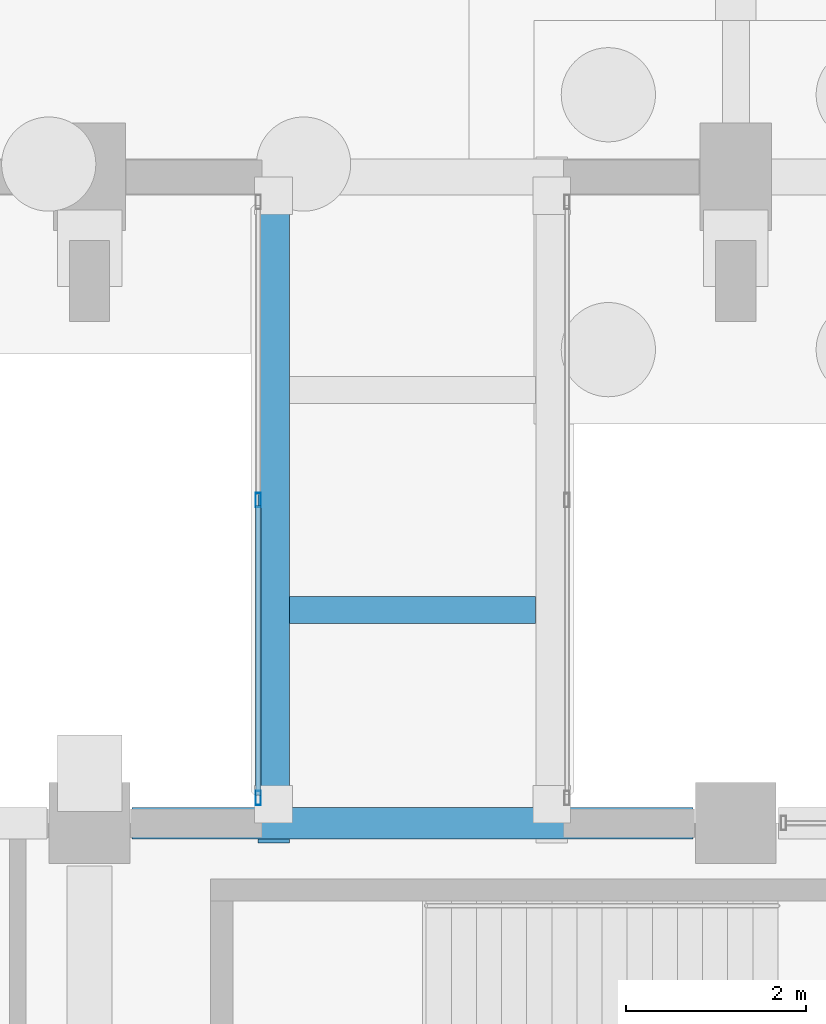
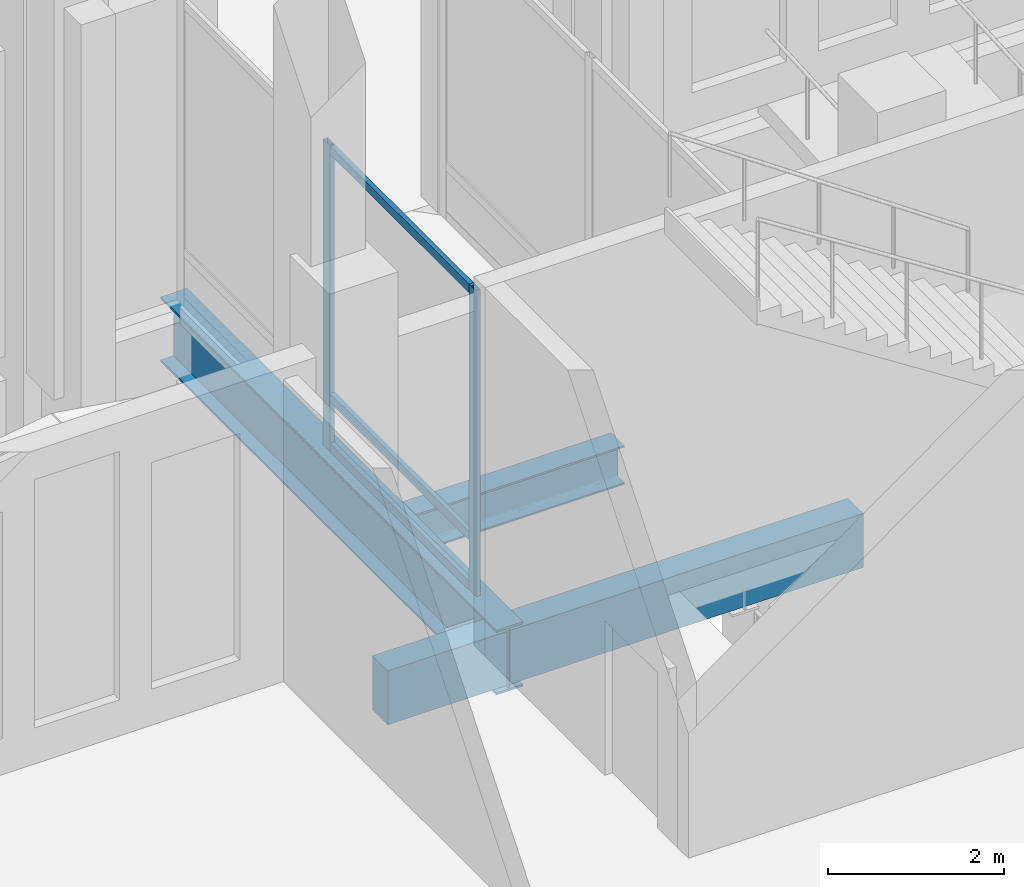
# One storey, part 86 of 192: 5 members, 3 beams, 1 element without a shape of its own.
"""IFC4 building model written with IfcOpenShell, lengths in metres."""

from ifc_helpers import new_model, si_unit, direction, frame, origin, origin_2d, place, context, subcontext, project, spatial, rectangle, hollow_rectangle, i_section, extrude, material, material_profile, profile_set, type_object, element, aggregate, save


model = new_model("IFC4")

# Units and contexts
model_context = context("Model", 3, precision=1e-05, world=origin(), true_north=direction((0.0, 1.0)))
body_context = subcontext(model_context, "Body", "Model", "MODEL_VIEW")
ifc_project = project(units=[si_unit("LENGTHUNIT", "METRE"), si_unit("AREAUNIT", "SQUARE_METRE"), si_unit("VOLUMEUNIT", "CUBIC_METRE"), si_unit("PLANEANGLEUNIT", "RADIAN"), si_unit("MASSUNIT", "GRAM", prefix="KILO")], contexts=[model_context])

# Site, building, storey
site_placement = place(None, origin())
site = spatial("IfcSite", under=ifc_project, at=site_placement, CompositionType="ELEMENT")
building_placement = place(site_placement, origin())
building = spatial("IfcBuilding", under=site, at=building_placement, Name="Cendralis Lancet Convention Centre", CompositionType="ELEMENT")
storey_placement = place(building_placement, origin())
storey = spatial("IfcBuildingStorey", under=building, at=storey_placement, Name="L00", CompositionType="ELEMENT", Elevation=0.0)

# Curtain wall, members
ifc_material_1 = material(Name="Anodised bronze architectural aluminium", Category="aluminium")
curtain_wall_type = type_object("IfcCurtainWallType", Name="ARC-CW-BR01", PredefinedType="USERDEFINED", material=ifc_material_1)
curtain_wall_placement = place(storey_placement, origin())
curtain_wall = element("IfcCurtainWall", 1, at=curtain_wall_placement, inside=storey, type_object=curtain_wall_type, Name="L00 Curtain Wall CW-BR1 #211", ObjectType="CURTAIN WALL", PredefinedType="USERDEFINED")
ifc_material_profile_1 = material_profile(ifc_material_1, hollow_rectangle(XDim=0.06005859375, YDim=0.159912109375, WallThickness=0.00390625, at=origin_2d()), Name="AL-MULL 60x160x4.0")
ifc_profile_set_1 = profile_set([ifc_material_profile_1], Name="Anodised bronze architectural aluminium")
member_type_1 = type_object("IfcMemberType", Name="ARC-CW-ML01", PredefinedType="MULLION", material=ifc_profile_set_1)
member_1_placement = place(storey_placement, frame((148.280029296875, 36.280029296875, 0.0), z_axis=(0.0, 0.0, 1.0), x_axis=(1.0, 0.0, 0.0)))
member_1 = element("IfcMember", 2, at=member_1_placement, type_object=member_type_1, Name="Mullion CW2-CW-BR1-L00-211-M0", PredefinedType="MULLION", context=body_context, shape_type="SweptSolid", body=[
    extrude(hollow_rectangle(XDim=0.06005859375, YDim=0.159912109375, WallThickness=0.00390625, at=origin_2d()), origin(), (0.0, 0.0, 1.0), 4.25),
])
member_2_placement = place(storey_placement, frame((148.280029296875, 39.60009765625, 0.0), z_axis=(0.0, 0.0, 1.0), x_axis=(1.0, 0.0, 0.0)))
member_2 = element("IfcMember", 3, at=member_2_placement, type_object=member_type_1, Name="Mullion CW2-CW-BR1-L00-211-M1", PredefinedType="MULLION", context=body_context, shape_type="SweptSolid", body=[
    extrude(hollow_rectangle(XDim=0.06005859375, YDim=0.159912109375, WallThickness=0.00390625, at=origin_2d()), origin(), (0.0, 0.0, 1.0), 4.25),
])
ifc_material_profile_2 = material_profile(ifc_material_1, hollow_rectangle(XDim=0.06005859375, YDim=0.1201171875, WallThickness=0.00390625, at=origin_2d()), Name="AL-TRAN 60x120x4.0")
ifc_profile_set_2 = profile_set([ifc_material_profile_2], Name="Anodised bronze architectural aluminium")
member_type_2 = type_object("IfcMemberType", Name="ARC-CW-TR01", PredefinedType="USERDEFINED", material=ifc_profile_set_2)
member_3_placement = place(storey_placement, frame((148.280029296875, 36.31005859375, 0.06005859375), z_axis=(0.0, 1.0, 0.0), x_axis=(-1.0, 0.0, 0.0)))
member_3 = element("IfcMember", 4, at=member_3_placement, type_object=member_type_2, Name="Transom CW2-CW-BR1-L00-211-T0BOT", ObjectType="TRANSOM", PredefinedType="USERDEFINED", context=body_context, shape_type="SweptSolid", body=[
    extrude(hollow_rectangle(XDim=0.06005859375, YDim=0.1201171875, WallThickness=0.00390625, at=origin_2d()), origin(), (0.0, 0.0, 1.0), 3.22998046875),
])
member_4_placement = place(storey_placement, frame((148.280029296875, 36.31005859375, 0.75), z_axis=(0.0, 1.0, 0.0), x_axis=(-1.0, 0.0, 0.0)))
member_4 = element("IfcMember", 5, at=member_4_placement, type_object=member_type_2, Name="Transom CW2-CW-BR1-L00-211-T0MID", ObjectType="TRANSOM", PredefinedType="USERDEFINED", context=body_context, shape_type="SweptSolid", body=[
    extrude(hollow_rectangle(XDim=0.06005859375, YDim=0.1201171875, WallThickness=0.00390625, at=origin_2d()), origin(), (0.0, 0.0, 1.0), 3.22998046875),
])
member_5_placement = place(storey_placement, frame((148.280029296875, 36.31005859375, 4.18994140625), z_axis=(0.0, 1.0, 0.0), x_axis=(-1.0, 0.0, 0.0)))
member_5 = element("IfcMember", 6, at=member_5_placement, type_object=member_type_2, Name="Transom CW2-CW-BR1-L00-211-T0TOP", ObjectType="TRANSOM", PredefinedType="USERDEFINED", context=body_context, shape_type="SweptSolid", body=[
    extrude(hollow_rectangle(XDim=0.06005859375, YDim=0.1201171875, WallThickness=0.00390625, at=origin_2d()), origin(), (0.0, 0.0, 1.0), 3.22998046875),
])
aggregate(curtain_wall, [member_1, member_2, member_3, member_4, member_5])

# Beams
ifc_material_2 = material(Name="Steel S355", Category="steel")
ifc_material_profile_3 = material_profile(ifc_material_2, i_section(OverallWidth=0.35009765625, OverallDepth=0.89990234375, WebThickness=0.01611328125, FlangeThickness=0.028076171875, at=origin_2d()), Name="PG 900x350")
ifc_profile_set_3 = profile_set([ifc_material_profile_3], Name="Steel S355")
beam_type_1 = type_object("IfcBeamType", Name="STR-BM-SG05", PredefinedType="BEAM", material=ifc_profile_set_3)
beam_1_placement = place(storey_placement, frame((148.449951171875, 35.780029296875, -0.669921875), z_axis=(0.0, 1.0, 0.0), x_axis=(-1.0, 0.0, 0.0)))
element("IfcBeam", 7, at=beam_1_placement, inside=storey, type_object=beam_type_1, Name="L00 Beam SG05 #1928", PredefinedType="BEAM", context=body_context, shape_type="SweptSolid", body=[
    extrude(i_section(OverallWidth=0.35009765625, OverallDepth=0.89990234375, WebThickness=0.01611328125, FlangeThickness=0.028076171875, at=origin_2d()), origin(), (0.0, 0.0, 1.0), 7.639892578125),
])
ifc_material_profile_4 = material_profile(ifc_material_2, i_section(OverallWidth=0.300048828125, OverallDepth=0.5400390625, WebThickness=0.012451171875, FlangeThickness=0.02392578125, FilletRadius=0.027099609375, at=origin_2d()), Name="HEA 550")
ifc_profile_set_4 = profile_set([ifc_material_profile_4], Name="Steel S355")
beam_type_2 = type_object("IfcBeamType", Name="STR-BM-SG11", PredefinedType="BEAM", material=ifc_profile_set_4)
beam_2_placement = place(storey_placement, frame((148.6298828125, 38.3759765625, -0.489990234375), z_axis=(1.0, 0.0, 0.0), x_axis=(0.0, 1.0, 0.0)))
element("IfcBeam", 8, at=beam_2_placement, inside=storey, type_object=beam_type_2, Name="L00 Beam SG11 #1930", PredefinedType="BEAM", context=body_context, shape_type="SweptSolid", body=[
    extrude(i_section(OverallWidth=0.300048828125, OverallDepth=0.5400390625, WebThickness=0.012451171875, FlangeThickness=0.02392578125, FilletRadius=0.027099609375, at=origin_2d()), origin(), (0.0, 0.0, 1.0), 2.740234375),
])
ifc_material_3 = material(Name="Concrete G40 (C40/50)", Category="concrete")
ifc_material_profile_5 = material_profile(ifc_material_3, rectangle(XDim=0.35009765625, YDim=0.75, at=origin_2d()), Name="RCB 350x750")
ifc_profile_set_5 = profile_set([ifc_material_profile_5], Name="Concrete G40 (C40/50)")
beam_type_3 = type_object("IfcBeamType", Name="STR-SP-SP01", PredefinedType="SPANDREL", material=ifc_profile_set_5)
beam_3_placement = place(storey_placement, frame((146.875, 36.0, -0.695068359375), z_axis=(1.0, 0.0, 0.0), x_axis=(0.0, 1.0, 0.0)))
element("IfcBeam", 9, at=beam_3_placement, inside=storey, type_object=beam_type_3, Name="L00 Beam SP01 #0043", PredefinedType="SPANDREL", context=body_context, shape_type="SweptSolid", body=[
    extrude(rectangle(XDim=0.35009765625, YDim=0.75, at=origin_2d()), origin(), (0.0, 0.0, 1.0), 6.25),
])

save(model, "model.ifc")
